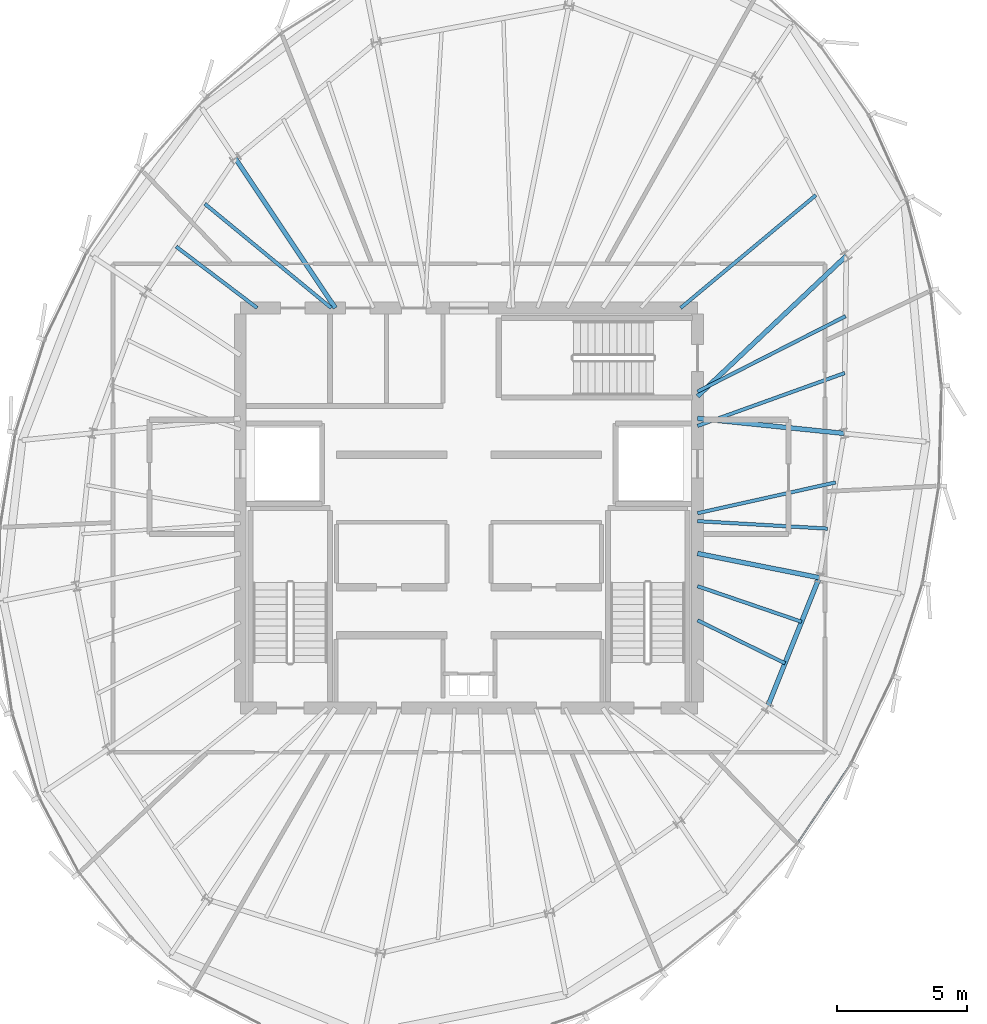
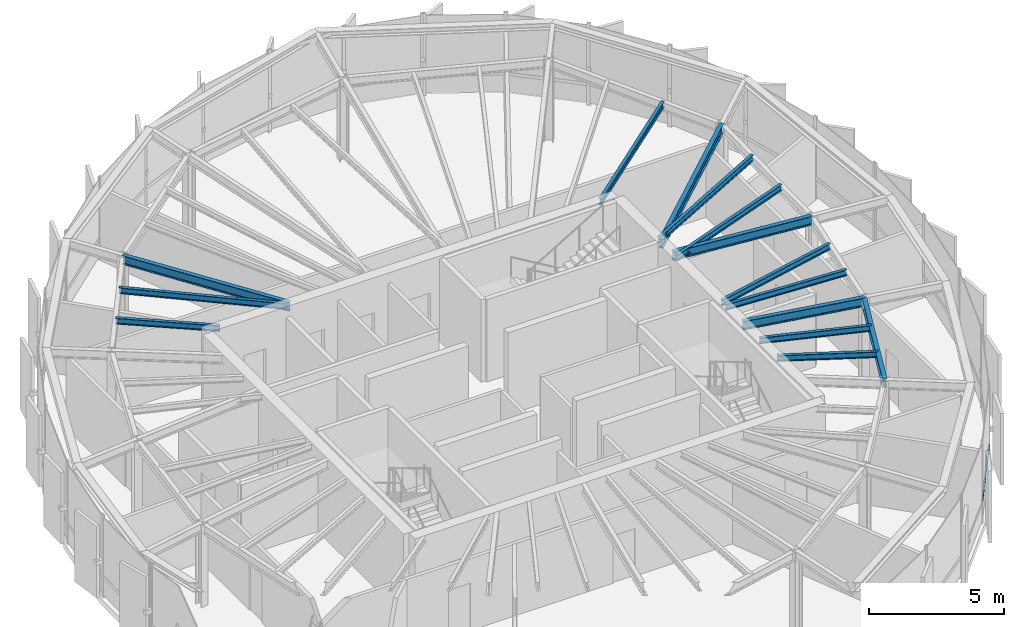
# One storey, part 11 of 27: 14 beams, 1 member, 1 element without a shape of its own.
"""IFC4 building model written with IfcOpenShell, lengths in metres."""

from ifc_helpers import new_model, si_unit, direction, frame, origin, origin_2d, place, context, subcontext, project, spatial, hollow_rectangle, i_section, extrude, source, transform, mapped, material, layer, layer_set, material_profile, profile_set, type_object, element, aggregate, save


model = new_model("IFC4")

# Units and contexts
model_context = context("Model", 3, precision=1e-05, world=origin(), true_north=direction((0.0, 1.0)))
body_context = subcontext(model_context, "Body", "Model", "MODEL_VIEW")
ifc_project = project(units=[si_unit("LENGTHUNIT", "METRE"), si_unit("AREAUNIT", "SQUARE_METRE"), si_unit("VOLUMEUNIT", "CUBIC_METRE"), si_unit("PLANEANGLEUNIT", "RADIAN"), si_unit("MASSUNIT", "GRAM", prefix="KILO"), si_unit("THERMODYNAMICTEMPERATUREUNIT", "KELVIN")], contexts=[model_context])

# Site, building, storey
site_placement = place(None, origin())
site = spatial("IfcSite", under=ifc_project, at=site_placement, CompositionType="ELEMENT")
building_placement = place(site_placement, origin())
building = spatial("IfcBuilding", under=site, at=building_placement, Name="Kethvar Cultural Tower", CompositionType="ELEMENT")
storey_placement = place(building_placement, frame((0.0, 0.0, 308.300048828125)))
storey = spatial("IfcBuildingStorey", under=building, at=storey_placement, Name="L82", CompositionType="ELEMENT", Elevation=308.300048828125)

# Beams
ifc_material_1 = material(Name="Steel S355J2", Category="steel")
ifc_material_profile_1 = material_profile(ifc_material_1, i_section(OverallWidth=0.135009765625, OverallDepth=0.27001953125, WebThickness=0.006591796875, FlangeThickness=0.01025390625, FilletRadius=0.014892578125, at=origin_2d()), Name="Steel S355J2 — IPE270")
ifc_profile_set_1 = profile_set([ifc_material_profile_1], Name="Steel S355J2 — IPE270")
beam_type_1 = type_object("IfcBeamType", Name="BM-J270", PredefinedType="JOIST", material=ifc_profile_set_1)
shared_shape_1 = source(origin(), body_context, "Body", "SweptSolid", [
    extrude(i_section(OverallWidth=0.135009765625, OverallDepth=0.27001953125, WebThickness=0.006591796875, FlangeThickness=0.01025390625, FilletRadius=0.014892578125, at=origin_2d()), origin(), (0.0, 0.0, 1.0), 6.021240234375),
])
beam_1_placement = place(storey_placement, frame((55.60009765625, 30.960205078125, 3.597900390625), z_axis=(0.94114970072, 0.337990001086, 0.0), x_axis=(-0.337990001086, 0.94114970072, 0.0)))
element("IfcBeam", 1, at=beam_1_placement, inside=storey, type_object=beam_type_1, Name="L82 Composite Floor Joist J-01A", PredefinedType="JOIST", context=body_context, shape_type="MappedRepresentation", body=[
    mapped(shared_shape_1, transform((0.0, 0.0, 0.0), scale=1.0)),
])
shared_shape_2 = source(origin(), body_context, "Body", "SweptSolid", [
    extrude(i_section(OverallWidth=0.135009765625, OverallDepth=0.27001953125, WebThickness=0.006591796875, FlangeThickness=0.01025390625, FilletRadius=0.014892578125, at=origin_2d()), origin(), (0.0, 0.0, 1.0), 6.3916015625),
])
beam_2_placement = place(storey_placement, frame((55.60009765625, 32.281494140625, 3.597900390625), z_axis=(0.891094874615, 0.453817060538, 0.0), x_axis=(-0.453817060538, 0.891094874615, 0.0)))
element("IfcBeam", 2, at=beam_2_placement, inside=storey, type_object=beam_type_1, Name="L82 Composite Floor Joist J-01B", PredefinedType="JOIST", context=body_context, shape_type="MappedRepresentation", body=[
    mapped(shared_shape_2, transform((0.0, 0.0, 0.0), scale=1.0)),
])
shared_shape_3 = source(origin(), body_context, "Body", "SweptSolid", [
    extrude(i_section(OverallWidth=0.135009765625, OverallDepth=0.27001953125, WebThickness=0.006591796875, FlangeThickness=0.01025390625, FilletRadius=0.014892578125, at=origin_2d()), origin(), (0.0, 0.0, 1.0), 6.776123046875),
])
beam_3_placement = place(storey_placement, frame((54.949951171875, 35.5, 3.597900390625), z_axis=(0.767801747857, 0.6406875026, 0.0), x_axis=(-0.6406875026, 0.767801747857, 0.0)))
element("IfcBeam", 3, at=beam_3_placement, inside=storey, type_object=beam_type_1, Name="L82 Composite Floor Joist J-02A", PredefinedType="JOIST", context=body_context, shape_type="MappedRepresentation", body=[
    mapped(shared_shape_3, transform((0.0, 0.0, 0.0), scale=1.0)),
])
shared_shape_4 = source(origin(), body_context, "Body", "SweptSolid", [
    extrude(i_section(OverallWidth=0.135009765625, OverallDepth=0.27001953125, WebThickness=0.006591796875, FlangeThickness=0.01025390625, FilletRadius=0.014892578125, at=origin_2d()), origin(), (0.0, 0.0, 1.0), 6.302978515625),
])
beam_4_placement = place(storey_placement, frame((41.5, 35.5, 3.597900390625), z_axis=(-0.771828477148, 0.635830796567, 0.0), x_axis=(-0.635830796567, -0.771828477148, 0.0)))
element("IfcBeam", 4, at=beam_4_placement, inside=storey, type_object=beam_type_1, Name="L82 Composite Floor Joist J-06A", PredefinedType="JOIST", context=body_context, shape_type="MappedRepresentation", body=[
    mapped(shared_shape_4, transform((0.0, 0.0, 0.0), scale=1.0)),
])
shared_shape_5 = source(origin(), body_context, "Body", "SweptSolid", [
    extrude(i_section(OverallWidth=0.135009765625, OverallDepth=0.27001953125, WebThickness=0.006591796875, FlangeThickness=0.01025390625, FilletRadius=0.014892578125, at=origin_2d()), origin(), (0.0, 0.0, 1.0), 3.91357421875),
])
beam_5_placement = place(storey_placement, frame((38.64990234375, 35.5, 3.597900390625), z_axis=(-0.797214062325, 0.603696727531, 0.0), x_axis=(-0.603696727531, -0.797214062325, 0.0)))
element("IfcBeam", 5, at=beam_5_placement, inside=storey, type_object=beam_type_1, Name="L82 Composite Floor Joist J-06B", PredefinedType="JOIST", context=body_context, shape_type="MappedRepresentation", body=[
    mapped(shared_shape_5, transform((0.0, 0.0, 0.0), scale=1.0)),
])
shared_shape_6 = source(origin(), body_context, "Body", "SweptSolid", [
    extrude(i_section(OverallWidth=0.135009765625, OverallDepth=0.27001953125, WebThickness=0.006591796875, FlangeThickness=0.01025390625, FilletRadius=0.014892578125, at=origin_2d()), origin(), (0.0, 0.0, 1.0), 3.75),
])
beam_6_placement = place(storey_placement, frame((55.60009765625, 23.476318359375, 3.597900390625), z_axis=(0.8975046019, -0.441005090184, 0.0), x_axis=(0.441005090184, 0.8975046019, 0.0)))
element("IfcBeam", 6, at=beam_6_placement, inside=storey, type_object=beam_type_1, Name="L82 Composite Floor Joist J-15A", PredefinedType="JOIST", context=body_context, shape_type="MappedRepresentation", body=[
    mapped(shared_shape_6, transform((0.0, 0.0, 0.0), scale=1.0)),
])
shared_shape_7 = source(origin(), body_context, "Body", "SweptSolid", [
    extrude(i_section(OverallWidth=0.135009765625, OverallDepth=0.27001953125, WebThickness=0.006591796875, FlangeThickness=0.01025390625, FilletRadius=0.014892578125, at=origin_2d()), origin(), (0.0, 0.0, 1.0), 4.232421875),
])
beam_7_placement = place(storey_placement, frame((55.60009765625, 24.7900390625, 3.597900390625), z_axis=(0.946173747357, -0.323659141402, 0.0), x_axis=(0.323659141402, 0.946173747357, 0.0)))
element("IfcBeam", 7, at=beam_7_placement, inside=storey, type_object=beam_type_1, Name="L82 Composite Floor Joist J-15B", PredefinedType="JOIST", context=body_context, shape_type="MappedRepresentation", body=[
    mapped(shared_shape_7, transform((0.0, 0.0, 0.0), scale=1.0)),
])
shared_shape_8 = source(origin(), body_context, "Body", "SweptSolid", [
    extrude(i_section(OverallWidth=0.135009765625, OverallDepth=0.27001953125, WebThickness=0.006591796875, FlangeThickness=0.01025390625, FilletRadius=0.014892578125, at=origin_2d()), origin(), (0.0, 0.0, 1.0), 5.01611328125),
])
beam_8_placement = place(storey_placement, frame((55.60009765625, 27.294189453125, 3.597900390625), z_axis=(0.998352190078, -0.057383835418, 0.0), x_axis=(0.057383835418, 0.998352190078, 0.0)))
element("IfcBeam", 8, at=beam_8_placement, inside=storey, type_object=beam_type_1, Name="L82 Composite Floor Joist J-16A", PredefinedType="JOIST", context=body_context, shape_type="MappedRepresentation", body=[
    mapped(shared_shape_8, transform((0.0, 0.0, 0.0), scale=1.0)),
])
shared_shape_9 = source(origin(), body_context, "Body", "SweptSolid", [
    extrude(i_section(OverallWidth=0.135009765625, OverallDepth=0.27001953125, WebThickness=0.006591796875, FlangeThickness=0.01025390625, FilletRadius=0.014892578125, at=origin_2d()), origin(), (0.0, 0.0, 1.0), 5.44287109375),
])
beam_9_placement = place(storey_placement, frame((55.60009765625, 27.60009765625, 3.597900390625), z_axis=(0.976080346759, 0.217410111702, 0.0), x_axis=(-0.217410111702, 0.976080346759, 0.0)))
element("IfcBeam", 9, at=beam_9_placement, inside=storey, type_object=beam_type_1, Name="L82 Composite Floor Joist J-16B", PredefinedType="JOIST", context=body_context, shape_type="MappedRepresentation", body=[
    mapped(shared_shape_9, transform((0.0, 0.0, 0.0), scale=1.0)),
])
ifc_material_profile_2 = material_profile(ifc_material_1, i_section(OverallWidth=0.179931640625, OverallDepth=0.39990234375, WebThickness=0.008544921875, FlangeThickness=0.013427734375, FilletRadius=0.02099609375, at=origin_2d()), Name="Steel S355J2 — IPE400")
ifc_profile_set_2 = profile_set([ifc_material_profile_2], Name="Steel S355J2 — IPE400")
beam_type_2 = type_object("IfcBeamType", Name="BM-IPE400", PredefinedType="BEAM", material=ifc_profile_set_2)
shared_shape_10 = source(origin(), body_context, "Body", "SweptSolid", [
    extrude(i_section(OverallWidth=0.179931640625, OverallDepth=0.39990234375, WebThickness=0.008544921875, FlangeThickness=0.013427734375, FilletRadius=0.02099609375, at=origin_2d()), origin(), (0.0, 0.0, 1.0), 5.66650390625),
])
beam_10_placement = place(storey_placement, frame((55.60009765625, 31.25, 3.532958984375), z_axis=(0.994777513459, -0.102067128476, 0.0), x_axis=(0.102067128476, 0.994777513459, 0.0)))
element("IfcBeam", 10, at=beam_10_placement, inside=storey, type_object=beam_type_2, Name="L82 Primary Radial Beam RB-01", PredefinedType="BEAM", context=body_context, shape_type="MappedRepresentation", body=[
    mapped(shared_shape_10, transform((0.0, 0.0, 0.0), scale=1.0)),
])
shared_shape_11 = source(origin(), body_context, "Body", "SweptSolid", [
    extrude(i_section(OverallWidth=0.179931640625, OverallDepth=0.39990234375, WebThickness=0.008544921875, FlangeThickness=0.013427734375, FilletRadius=0.02099609375, at=origin_2d()), origin(), (0.0, 0.0, 1.0), 7.874267578125),
])
beam_11_placement = place(storey_placement, frame((55.60009765625, 32.10009765625, 3.532958984375), z_axis=(0.727123202456, 0.686506990823, 0.0), x_axis=(-0.686506990823, 0.727123202456, 0.0)))
element("IfcBeam", 11, at=beam_11_placement, inside=storey, type_object=beam_type_2, Name="L82 Primary Radial Beam RB-02", PredefinedType="BEAM", context=body_context, shape_type="MappedRepresentation", body=[
    mapped(shared_shape_11, transform((0.0, 0.0, 0.0), scale=1.0)),
])
shared_shape_12 = source(origin(), body_context, "Body", "SweptSolid", [
    extrude(i_section(OverallWidth=0.179931640625, OverallDepth=0.39990234375, WebThickness=0.008544921875, FlangeThickness=0.013427734375, FilletRadius=0.02099609375, at=origin_2d()), origin(), (0.0, 0.0, 1.0), 6.921630859375),
])
beam_12_placement = place(storey_placement, frame((41.655029296875, 35.5, 3.532958984375), z_axis=(-0.555570841874, 0.831469205479, 0.0), x_axis=(-0.831469205479, -0.555570841874, 0.0)))
element("IfcBeam", 12, at=beam_12_placement, inside=storey, type_object=beam_type_2, Name="L82 Primary Radial Beam RB-06", PredefinedType="BEAM", context=body_context, shape_type="MappedRepresentation", body=[
    mapped(shared_shape_12, transform((0.0, 0.0, 0.0), scale=1.0)),
])
shared_shape_13 = source(origin(), body_context, "Body", "SweptSolid", [
    extrude(i_section(OverallWidth=0.179931640625, OverallDepth=0.39990234375, WebThickness=0.008544921875, FlangeThickness=0.013427734375, FilletRadius=0.02099609375, at=origin_2d()), origin(), (0.0, 0.0, 1.0), 4.775390625),
])
beam_13_placement = place(storey_placement, frame((55.60009765625, 26.049560546875, 3.532958984375), z_axis=(0.980784643133, -0.195093525761, 0.0), x_axis=(0.195093525761, 0.980784643133, 0.0)))
element("IfcBeam", 13, at=beam_13_placement, inside=storey, type_object=beam_type_2, Name="L82 Primary Radial Beam RB-16", PredefinedType="BEAM", context=body_context, shape_type="MappedRepresentation", body=[
    mapped(shared_shape_13, transform((0.0, 0.0, 0.0), scale=1.0)),
])
shared_shape_14 = source(origin(), body_context, "Body", "SweptSolid", [
    extrude(i_section(OverallWidth=0.179931640625, OverallDepth=0.39990234375, WebThickness=0.008544921875, FlangeThickness=0.013427734375, FilletRadius=0.02099609375, at=origin_2d()), origin(), (0.0, 0.0, 1.0), 5.377685546875),
])
beam_14_placement = place(storey_placement, frame((58.287109375, 20.12451171875, 3.532958984375), z_axis=(0.371265436914, 0.928526776864, 0.0), x_axis=(-0.928526776864, 0.371265436914, 0.0)))
element("IfcBeam", 14, at=beam_14_placement, inside=storey, type_object=beam_type_2, Name="L82 Column Ring Tie Beam CR-15", PredefinedType="BEAM", context=body_context, shape_type="MappedRepresentation", body=[
    mapped(shared_shape_14, transform((0.0, 0.0, 0.0), scale=1.0)),
])

# Curtain wall, member
ifc_material_2 = material(Name="Aluminium 6063-T6", Category="aluminium")
ifc_layer = layer(ifc_material_2, 0.179931640625, Name="Aluminium 6063-T6", Category="aluminium")
ifc_layer_set = layer_set([ifc_layer], Name="Aluminium 6063-T6 (180 mm)")
curtain_wall_type = type_object("IfcCurtainWallType", Name="CW-SYS-06-CROWN", PredefinedType="NOTDEFINED", material=ifc_layer_set)
curtain_wall_placement = place(storey_placement, origin())
curtain_wall = element("IfcCurtainWall", 15, at=curtain_wall_placement, inside=storey, type_object=curtain_wall_type, Name="L82 Curtain Wall Run 05", PredefinedType="NOTDEFINED")
ifc_material_profile_3 = material_profile(ifc_material_2, hollow_rectangle(XDim=0.06005859375, YDim=0.139892578125, WallThickness=0.0048828125, at=origin_2d()), Name="Aluminium 6063-T6 — RHS140x60x5")
ifc_profile_set_3 = profile_set([ifc_material_profile_3], Name="Aluminium 6063-T6 — RHS140x60x5")
member_type = type_object("IfcMemberType", Name="CW-SYS-06-CROWN-TRN", PredefinedType="USERDEFINED", material=ifc_profile_set_3)
shared_shape_15 = source(origin(), body_context, "Body", "SweptSolid", [
    extrude(hollow_rectangle(XDim=0.06005859375, YDim=0.139892578125, WallThickness=0.0048828125, at=origin_2d()), origin(), (0.0, 0.0, 1.0), 3.625244140625),
])
member_placement = place(storey_placement, frame((59.4619140625, 14.927978515625, 0.949951171875), z_axis=(0.559028629077, 0.829148353355, 0.0), x_axis=(-0.829148353355, 0.559028629077, 0.0)))
member = element("IfcMember", 16, at=member_placement, type_object=member_type, Name="CW-L82-R05 Transom 2", ObjectType="TRANSOM", PredefinedType="USERDEFINED", context=body_context, shape_type="MappedRepresentation", body=[
    mapped(shared_shape_15, transform((0.0, 0.0, 0.0), scale=1.0)),
])
aggregate(curtain_wall, [member])

save(model, "model.ifc")
